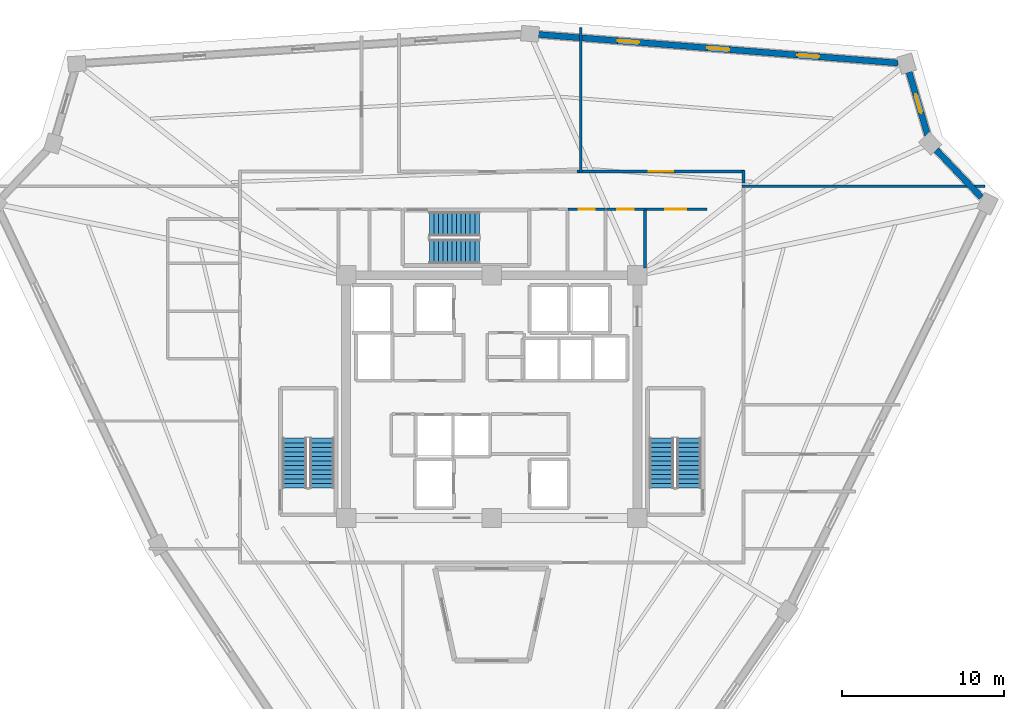
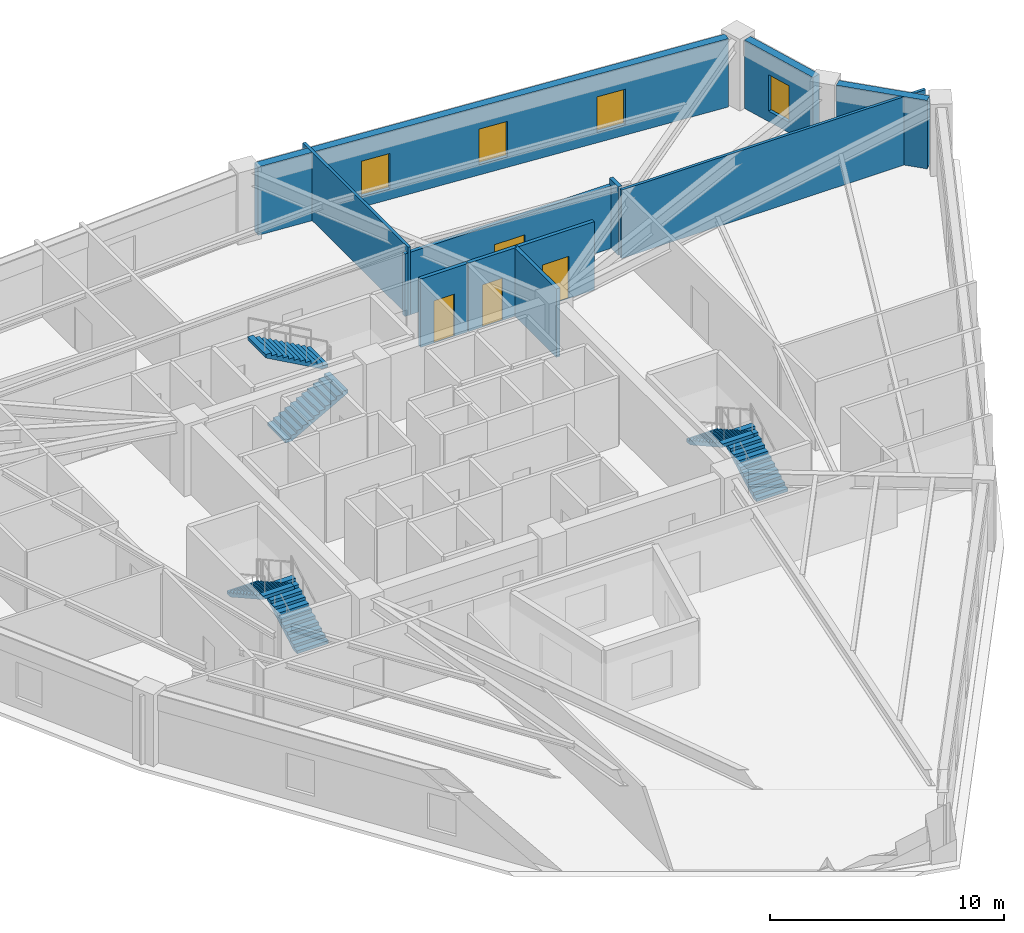
# One storey, part 7 of 10: 11 walls, 6 stair flights, 4 doors, 4 windows, 8 openings, 3 elements without a shape of their own.
"""IFC4 building model written with IfcOpenShell, lengths in metres."""

from ifc_helpers import new_model, si_unit, direction, frame, frame_2d, origin, place, context, subcontext, project, spatial, polyline, rectangle, outline, extrude, source, transform, mapped, material, layer, layer_set, type_object, element, fill, aggregate, save


model = new_model("IFC4")

# Units and contexts
model_context = context("Model", 3, precision=1e-05, world=origin(), true_north=direction((0.0, 1.0)))
body_context = subcontext(model_context, "Body", "Model", "MODEL_VIEW")
ifc_project = project(units=[si_unit("LENGTHUNIT", "METRE"), si_unit("AREAUNIT", "SQUARE_METRE"), si_unit("VOLUMEUNIT", "CUBIC_METRE"), si_unit("PLANEANGLEUNIT", "RADIAN"), si_unit("MASSUNIT", "GRAM", prefix="KILO")], contexts=[model_context])

# Site, building, storey
site_placement = place(None, origin())
site = spatial("IfcSite", under=ifc_project, at=site_placement, CompositionType="ELEMENT")
building_placement = place(site_placement, origin())
building = spatial("IfcBuilding", under=site, at=building_placement, Name="Liaohun Quay Tower", CompositionType="ELEMENT")
storey_placement = place(building_placement, frame((0.0, 0.0, 286.5)))
storey = spatial("IfcBuildingStorey", under=building, at=storey_placement, Name="L74", CompositionType="ELEMENT", Elevation=286.5)

# Wall
ifc_material_1 = material(Name="Precast concrete C50 insulated sandwich", Category="concrete")
ifc_layer_1 = layer(ifc_material_1, 0.3798828125, Name="Precast concrete C50 insulated sandwich", Category="concrete")
ifc_layer_set_1 = layer_set([ifc_layer_1], Name="Precast concrete C50 insulated sandwich")
wall_type_1 = type_object("IfcWallType", Name="WAL-EXT-Z34", PredefinedType="SOLIDWALL", material=ifc_layer_set_1)
wall_1_placement = place(storey_placement, frame((90.264892578125, 66.31396484375, 0.0), z_axis=(0.0, 0.0, 1.0), x_axis=(-0.689378640733, 0.724401193885, 0.0)))
element("IfcWall", 1, at=wall_1_placement, inside=storey, type_object=wall_type_1, Name="L74 Brutalist Precast Pier Wall 04", PredefinedType="SOLIDWALL", context=body_context, shape_type="SweptSolid", body=[
    extrude(rectangle(XDim=4.05712890625, YDim=0.3798828125, at=frame_2d((2.028564453125, 0.0))), origin(), (0.0, 0.0, 1.0), 3.570068359375),
])

# Wall, opening, window
wall_2_placement = place(storey_placement, frame((86.943115234375, 70.162109375, 0.0), z_axis=(0.0, 0.0, 1.0), x_axis=(-0.282780999882, 0.959184500555, 0.0)))
wall_2 = element("IfcWall", 2, at=wall_2_placement, inside=storey, type_object=wall_type_1, Name="L74 Brutalist Precast Pier Wall 05", PredefinedType="SOLIDWALL", context=body_context, shape_type="SweptSolid", body=[
    extrude(rectangle(XDim=4.063720703125, YDim=0.3798828125, at=frame_2d((2.03173828125, 0.0))), origin(), (0.0, 0.0, 1.0), 3.570068359375),
])
shared_shape_1 = source(origin(), body_context, "Body", "SweptSolid", [
    extrude(rectangle(XDim=1.199951171875, YDim=1.89990234375, at=frame_2d((0.60009765625, 0.949951171875))), frame((0.0, 0.199951171875, 0.0), z_axis=(0.0, -1.0, 0.0), x_axis=(1.0, 0.0, 0.0)), (0.0, 0.0, 1.0), 0.39990234375),
])
opening_1_placement = place(wall_2_placement, frame((1.431884765625, 0.0, 0.550048828125)))
opening_1 = element("IfcOpeningElement", 3, at=opening_1_placement, cuts=wall_2, Name="Opening W05", PredefinedType="OPENING", context=body_context, shape_type="MappedRepresentation", body=[
    mapped(shared_shape_1, transform((0.0, 0.0, 0.0), x_axis=(1.0, 0.0, 0.0), y_axis=(0.0, 1.0, 0.0), z_axis=(0.0, 0.0, 1.0), scale=1.0)),
])
ifc_material_2 = material(Name="Triple Low-E corner notch glazing", Category="glass")
window_type_1 = type_object("IfcWindowType", Name="WIN-NOTCH", PartitioningType="SINGLE_PANEL", PredefinedType="WINDOW", material=ifc_material_2)
shared_shape_2 = source(origin(), body_context, "Body", "SweptSolid", [
    extrude(rectangle(XDim=1.199951171875, YDim=1.89990234375, at=frame_2d((0.60009765625, 0.949951171875))), frame((0.0, 0.030029296875, 0.0), z_axis=(0.0, -1.0, 0.0), x_axis=(1.0, 0.0, 0.0)), (0.0, 0.0, 1.0), 0.06005859375),
])
window_1_placement = place(opening_1_placement, origin())
window_1 = element("IfcWindow", 4, at=window_1_placement, inside=storey, type_object=window_type_1, Name="L74 Corner Notch Window W05-05", OverallHeight=1.89990234375, OverallWidth=1.199951171875, PartitioningType="SINGLE_PANEL", PredefinedType="WINDOW", context=body_context, shape_type="MappedRepresentation", body=[
    mapped(shared_shape_2, transform((0.0, 0.0, 0.0), x_axis=(1.0, 0.0, 0.0), y_axis=(0.0, 1.0, 0.0), z_axis=(0.0, 0.0, 1.0), scale=1.0)),
])
fill(opening_1, window_1)

# Wall, openings, windows
wall_3_placement = place(storey_placement, frame((85.10302734375, 74.62109375, 0.0), z_axis=(0.0, 0.0, 1.0), x_axis=(-0.996863155658, 0.079144481122, 0.0)))
wall_3 = element("IfcWall", 5, at=wall_3_placement, inside=storey, type_object=wall_type_1, Name="L74 Brutalist Precast Pier Wall 06", PredefinedType="SOLIDWALL", context=body_context, shape_type="SweptSolid", body=[
    extrude(rectangle(XDim=22.27490234375, YDim=0.3798828125, at=frame_2d((11.137451171875, 0.0))), origin(), (0.0, 0.0, 1.0), 3.570068359375),
])
shared_shape_3 = source(origin(), body_context, "Body", "SweptSolid", [
    extrude(rectangle(XDim=1.35009765625, YDim=1.85009765625, at=frame_2d((0.675048828125, 0.925048828125))), frame((0.0, 0.199951171875, 0.0), z_axis=(0.0, -1.0, 0.0), x_axis=(1.0, 0.0, 0.0)), (0.0, 0.0, 1.0), 0.39990234375),
])
opening_2_placement = place(wall_3_placement, frame((4.89404296875, 0.0, 0.550048828125)))
opening_2 = element("IfcOpeningElement", 6, at=opening_2_placement, cuts=wall_3, Name="Opening W04", PredefinedType="OPENING", context=body_context, shape_type="MappedRepresentation", body=[
    mapped(shared_shape_3, transform((0.0, 0.0, 0.0), x_axis=(1.0, 0.0, 0.0), y_axis=(0.0, 1.0, 0.0), z_axis=(0.0, 0.0, 1.0), scale=1.0)),
])
opening_3_placement = place(wall_3_placement, frame((10.4619140625, 0.0, 0.550048828125)))
opening_3 = element("IfcOpeningElement", 7, at=opening_3_placement, cuts=wall_3, Name="Opening W04", PredefinedType="OPENING", context=body_context, shape_type="MappedRepresentation", body=[
    mapped(shared_shape_3, transform((0.0, 0.0, 0.0), x_axis=(1.0, 0.0, 0.0), y_axis=(0.0, 1.0, 0.0), z_axis=(0.0, 0.0, 1.0), scale=1.0)),
])
opening_4_placement = place(wall_3_placement, frame((16.031005859375, 0.0, 0.550048828125)))
opening_4 = element("IfcOpeningElement", 8, at=opening_4_placement, cuts=wall_3, Name="Opening W04", PredefinedType="OPENING", context=body_context, shape_type="MappedRepresentation", body=[
    mapped(shared_shape_3, transform((0.0, 0.0, 0.0), x_axis=(1.0, 0.0, 0.0), y_axis=(0.0, 1.0, 0.0), z_axis=(0.0, 0.0, 1.0), scale=1.0)),
])
ifc_material_3 = material(Name="Triple Low-E argon glazing in thermally broken aluminium", Category="aluminium")
window_type_2 = type_object("IfcWindowType", Name="WIN-PUN-Z4", PartitioningType="SINGLE_PANEL", PredefinedType="WINDOW", material=ifc_material_3)
shared_shape_4 = source(origin(), body_context, "Body", "SweptSolid", [
    extrude(rectangle(XDim=1.35009765625, YDim=1.85009765625, at=frame_2d((0.675048828125, 0.925048828125))), frame((0.0, 0.030029296875, 0.0), z_axis=(0.0, -1.0, 0.0), x_axis=(1.0, 0.0, 0.0)), (0.0, 0.0, 1.0), 0.06005859375),
])
window_2_placement = place(opening_2_placement, origin())
window_2 = element("IfcWindow", 9, at=window_2_placement, inside=storey, type_object=window_type_2, Name="L74 Recessed Cold-Climate Punched Window 06-1", OverallHeight=1.85009765625, OverallWidth=1.35009765625, PartitioningType="SINGLE_PANEL", PredefinedType="WINDOW", context=body_context, shape_type="MappedRepresentation", body=[
    mapped(shared_shape_4, transform((0.0, 0.0, 0.0), x_axis=(1.0, 0.0, 0.0), y_axis=(0.0, 1.0, 0.0), z_axis=(0.0, 0.0, 1.0), scale=1.0)),
])
fill(opening_2, window_2)
window_3_placement = place(opening_3_placement, origin())
window_3 = element("IfcWindow", 10, at=window_3_placement, inside=storey, type_object=window_type_2, Name="L74 Recessed Cold-Climate Punched Window 06-2", OverallHeight=1.85009765625, OverallWidth=1.35009765625, PartitioningType="SINGLE_PANEL", PredefinedType="WINDOW", context=body_context, shape_type="MappedRepresentation", body=[
    mapped(shared_shape_4, transform((0.0, 0.0, 0.0), x_axis=(1.0, 0.0, 0.0), y_axis=(0.0, 1.0, 0.0), z_axis=(0.0, 0.0, 1.0), scale=1.0)),
])
fill(opening_3, window_3)
window_4_placement = place(opening_4_placement, origin())
window_4 = element("IfcWindow", 11, at=window_4_placement, inside=storey, type_object=window_type_2, Name="L74 Recessed Cold-Climate Punched Window 06-3", OverallHeight=1.85009765625, OverallWidth=1.35009765625, PartitioningType="SINGLE_PANEL", PredefinedType="WINDOW", context=body_context, shape_type="MappedRepresentation", body=[
    mapped(shared_shape_4, transform((0.0, 0.0, 0.0), x_axis=(1.0, 0.0, 0.0), y_axis=(0.0, 1.0, 0.0), z_axis=(0.0, 0.0, 1.0), scale=1.0)),
])
fill(opening_4, window_4)

# Wall, opening, door
ifc_material_4 = material(Name="Autoclaved aerated concrete blockwork", Category="masonry")
ifc_layer_2 = layer(ifc_material_4, 0.179931640625, Name="Autoclaved aerated concrete blockwork", Category="masonry")
ifc_layer_set_2 = layer_set([ifc_layer_2], Name="Autoclaved aerated concrete blockwork")
wall_type_2 = type_object("IfcWallType", Name="WAL-PRT-COR", PredefinedType="PARTITIONING", material=ifc_layer_set_2)
wall_4_placement = place(storey_placement, frame((64.719970703125, 65.580078125, 0.0), z_axis=(0.0, 0.0, 1.0), x_axis=(1.0, 0.0, 0.0)))
wall_4 = element("IfcWall", 12, at=wall_4_placement, inside=storey, type_object=wall_type_2, Name="L74 Interior Partition Wall 012", PredefinedType="PARTITIONING", context=body_context, shape_type="SweptSolid", body=[
    extrude(rectangle(XDim=2.320068359375, YDim=0.179931640625, at=frame_2d((1.16015625, 0.0))), origin(), (0.0, 0.0, 1.0), 3.570068359375),
])
shared_shape_5 = source(origin(), body_context, "Body", "SweptSolid", [
    extrude(rectangle(XDim=1.0, YDim=2.199951171875, at=frame_2d((0.5, 1.10009765625))), frame((0.0, 0.099853515625, 0.0), z_axis=(0.0, -1.0, 0.0), x_axis=(1.0, 0.0, 0.0)), (0.0, 0.0, 1.0), 0.199951171875),
])
opening_5_placement = place(wall_4_placement, frame((0.659912109375, 0.0, 0.0)))
opening_5 = element("IfcOpeningElement", 13, at=opening_5_placement, cuts=wall_4, Name="Opening OD1", PredefinedType="OPENING", context=body_context, shape_type="MappedRepresentation", body=[
    mapped(shared_shape_5, transform((0.0, 0.0, 0.0), x_axis=(1.0, 0.0, 0.0), y_axis=(0.0, 1.0, 0.0), z_axis=(0.0, 0.0, 1.0), scale=1.0)),
])
ifc_material_5 = material(Name="Solid-core oak veneer timber leaf in steel frame", Category="steel")
door_type_1 = type_object("IfcDoorType", Name="DOR-OFF-1000", OperationType="NOTDEFINED", PredefinedType="DOOR", material=ifc_material_5)
shared_shape_6 = source(origin(), body_context, "Body", "SweptSolid", [
    extrude(rectangle(XDim=1.0, YDim=2.199951171875, at=frame_2d((0.5, 1.10009765625))), frame((0.0, 0.02490234375, 0.0), z_axis=(0.0, -1.0, 0.0), x_axis=(1.0, 0.0, 0.0)), (0.0, 0.0, 1.0), 0.050048828125),
])
door_1_placement = place(opening_5_placement, origin())
door_1 = element("IfcDoor", 14, at=door_1_placement, inside=storey, type_object=door_type_1, Name="L74 North-East Comms Room Door", OperationType="SINGLE_SWING_LEFT", OverallHeight=2.199951171875, OverallWidth=1.0, PredefinedType="DOOR", context=body_context, shape_type="MappedRepresentation", body=[
    mapped(shared_shape_6, transform((0.0, 0.0, 0.0), x_axis=(1.0, 0.0, 0.0), y_axis=(0.0, 1.0, 0.0), z_axis=(0.0, 0.0, 1.0), scale=1.0)),
])
fill(opening_5, door_1)

wall_5_placement = place(storey_placement, frame((67.080078125, 65.580078125, 0.0), z_axis=(0.0, 0.0, 1.0), x_axis=(1.0, 0.0, 0.0)))
wall_5 = element("IfcWall", 15, at=wall_5_placement, inside=storey, type_object=wall_type_2, Name="L74 Interior Partition Wall 013", PredefinedType="PARTITIONING", context=body_context, shape_type="SweptSolid", body=[
    extrude(rectangle(XDim=2.3798828125, YDim=0.179931640625, at=frame_2d((1.18994140625, 0.0))), origin(), (0.0, 0.0, 1.0), 3.570068359375),
])
opening_6_placement = place(wall_5_placement, frame((0.68994140625, 0.0, 0.0)))
opening_6 = element("IfcOpeningElement", 16, at=opening_6_placement, cuts=wall_5, Name="Opening OD1", PredefinedType="OPENING", context=body_context, shape_type="MappedRepresentation", body=[
    mapped(shared_shape_5, transform((0.0, 0.0, 0.0), x_axis=(1.0, 0.0, 0.0), y_axis=(0.0, 1.0, 0.0), z_axis=(0.0, 0.0, 1.0), scale=1.0)),
])
door_2_placement = place(opening_6_placement, origin())
door_2 = element("IfcDoor", 17, at=door_2_placement, inside=storey, type_object=door_type_1, Name="L74 North-East Cleaner Store Door", OperationType="SINGLE_SWING_RIGHT", OverallHeight=2.199951171875, OverallWidth=1.0, PredefinedType="DOOR", context=body_context, shape_type="MappedRepresentation", body=[
    mapped(shared_shape_6, transform((0.0, 0.0, 0.0), x_axis=(1.0, 0.0, 0.0), y_axis=(0.0, 1.0, 0.0), z_axis=(0.0, 0.0, 1.0), scale=1.0)),
])
fill(opening_6, door_2)

wall_6_placement = place(storey_placement, frame((69.4599609375, 65.580078125, 0.0), z_axis=(0.0, 0.0, 1.0), x_axis=(1.0, 0.0, 0.0)))
wall_6 = element("IfcWall", 18, at=wall_6_placement, inside=storey, type_object=wall_type_2, Name="L74 Interior Partition Wall 015", PredefinedType="PARTITIONING", context=body_context, shape_type="SweptSolid", body=[
    extrude(rectangle(XDim=3.840087890625, YDim=0.179931640625, at=frame_2d((1.919921875, 0.0))), origin(), (0.0, 0.0, 1.0), 3.570068359375),
])
shared_shape_7 = source(origin(), body_context, "Body", "SweptSolid", [
    extrude(rectangle(XDim=1.300048828125, YDim=2.199951171875, at=frame_2d((0.64990234375, 1.10009765625))), frame((0.0, 0.099853515625, 0.0), z_axis=(0.0, -1.0, 0.0), x_axis=(1.0, 0.0, 0.0)), (0.0, 0.0, 1.0), 0.199951171875),
])
opening_7_placement = place(wall_6_placement, frame((1.27001953125, 0.0, 0.0)))
opening_7 = element("IfcOpeningElement", 19, at=opening_7_placement, cuts=wall_6, Name="Opening FD1", PredefinedType="OPENING", context=body_context, shape_type="MappedRepresentation", body=[
    mapped(shared_shape_7, transform((0.0, 0.0, 0.0), x_axis=(1.0, 0.0, 0.0), y_axis=(0.0, 1.0, 0.0), z_axis=(0.0, 0.0, 1.0), scale=1.0)),
])
ifc_material_6 = material(Name="Galvanised steel smokeproof fire door", Category="steel")
door_type_2 = type_object("IfcDoorType", Name="DOR-FFL-1300", OperationType="NOTDEFINED", PredefinedType="DOOR", material=ifc_material_6)
shared_shape_8 = source(origin(), body_context, "Body", "SweptSolid", [
    extrude(rectangle(XDim=1.300048828125, YDim=2.199951171875, at=frame_2d((0.64990234375, 1.10009765625))), frame((0.0, 0.02490234375, 0.0), z_axis=(0.0, -1.0, 0.0), x_axis=(1.0, 0.0, 0.0)), (0.0, 0.0, 1.0), 0.050048828125),
])
door_3_placement = place(opening_7_placement, origin())
door_3 = element("IfcDoor", 20, at=door_3_placement, inside=storey, type_object=door_type_2, Name="L74 East Core Vestibule Door", OperationType="SINGLE_SWING_RIGHT", OverallHeight=2.199951171875, OverallWidth=1.300048828125, PredefinedType="DOOR", context=body_context, shape_type="MappedRepresentation", body=[
    mapped(shared_shape_8, transform((0.0, 0.0, 0.0), x_axis=(1.0, 0.0, 0.0), y_axis=(0.0, 1.0, 0.0), z_axis=(0.0, 0.0, 1.0), scale=1.0)),
])
fill(opening_7, door_3)

wall_7_placement = place(storey_placement, frame((65.284912109375, 67.909912109375, 0.0), z_axis=(0.0, 0.0, 1.0), x_axis=(1.0, 0.0, 0.0)))
wall_7 = element("IfcWall", 21, at=wall_7_placement, inside=storey, type_object=wall_type_2, Name="L74 Interior Partition Wall 017", PredefinedType="PARTITIONING", context=body_context, shape_type="SweptSolid", body=[
    extrude(rectangle(XDim=10.344970703125, YDim=0.179931640625, at=frame_2d((5.17236328125, 0.0))), origin(), (0.0, 0.0, 1.0), 3.260986328125),
])
shared_shape_9 = source(origin(), body_context, "Body", "SweptSolid", [
    extrude(rectangle(XDim=1.5, YDim=2.199951171875, at=frame_2d((0.75, 1.10009765625))), frame((0.0, 0.099853515625, 0.0), z_axis=(0.0, -1.0, 0.0), x_axis=(1.0, 0.0, 0.0)), (0.0, 0.0, 1.0), 0.199951171875),
])
opening_8_placement = place(wall_7_placement, frame((4.422119140625, 0.0, 0.0)))
opening_8 = element("IfcOpeningElement", 22, at=opening_8_placement, cuts=wall_7, Name="Opening OD2", PredefinedType="OPENING", context=body_context, shape_type="MappedRepresentation", body=[
    mapped(shared_shape_9, transform((0.0, 0.0, 0.0), x_axis=(1.0, 0.0, 0.0), y_axis=(0.0, 1.0, 0.0), z_axis=(0.0, 0.0, 1.0), scale=1.0)),
])
ifc_material_7 = material(Name="Acoustic oak veneer double door")
door_type_3 = type_object("IfcDoorType", Name="DOR-OFF-1500", OperationType="DOUBLE_DOOR_SINGLE_SWING", PredefinedType="DOOR", material=ifc_material_7)
shared_shape_10 = source(origin(), body_context, "Body", "SweptSolid", [
    extrude(rectangle(XDim=1.5, YDim=2.199951171875, at=frame_2d((0.75, 1.10009765625))), frame((0.0, 0.02490234375, 0.0), z_axis=(0.0, -1.0, 0.0), x_axis=(1.0, 0.0, 0.0)), (0.0, 0.0, 1.0), 0.050048828125),
])
door_4_placement = place(opening_8_placement, origin())
door_4 = element("IfcDoor", 23, at=door_4_placement, inside=storey, type_object=door_type_3, Name="L74 Occupational Wellness Clinic 02 Door", OperationType="DOUBLE_DOOR_SINGLE_SWING", OverallHeight=2.199951171875, OverallWidth=1.5, PredefinedType="DOOR", context=body_context, shape_type="MappedRepresentation", body=[
    mapped(shared_shape_10, transform((0.0, 0.0, 0.0), x_axis=(1.0, 0.0, 0.0), y_axis=(0.0, 1.0, 0.0), z_axis=(0.0, 0.0, 1.0), scale=1.0)),
])
fill(opening_8, door_4)

# Walls
wall_8_placement = place(storey_placement, frame((69.4599609375, 61.949951171875, 0.0), z_axis=(0.0, 0.0, 1.0), x_axis=(0.0, 1.0, 0.0)))
element("IfcWall", 24, at=wall_8_placement, inside=storey, type_object=wall_type_2, Name="L74 Interior Partition Wall 040", PredefinedType="PARTITIONING", context=body_context, shape_type="SweptSolid", body=[
    extrude(rectangle(XDim=3.630126953125, YDim=0.179931640625, at=frame_2d((1.81494140625, 0.0))), origin(), (0.0, 0.0, 1.0), 3.570068359375),
])
wall_9_placement = place(storey_placement, frame((75.56005859375, 67.97998046875, 0.0), z_axis=(0.0, 0.0, 1.0), x_axis=(0.0, -1.0, 0.0)))
element("IfcWall", 25, at=wall_9_placement, inside=storey, type_object=wall_type_2, Name="L74 Interior Partition Wall 041", PredefinedType="PARTITIONING", context=body_context, shape_type="SweptSolid", body=[
    extrude(rectangle(XDim=0.764892578125, YDim=0.179931640625, at=frame_2d((0.38232421875, 0.0))), origin(), (0.0, 0.0, 1.0), 3.570068359375),
])
ifc_material_8 = material(Name="Gypsum board on twin steel studs", Category="steel")
ifc_layer_3 = layer(ifc_material_8, 0.139892578125, Name="Gypsum board on twin steel studs", Category="steel")
ifc_layer_set_3 = layer_set([ifc_layer_3], Name="Gypsum board on twin steel studs")
wall_type_3 = type_object("IfcWallType", Name="WAL-PRT-OFF", PredefinedType="PARTITIONING", material=ifc_layer_set_3)
wall_10_placement = place(storey_placement, frame((75.4599609375, 67.0, 0.0), z_axis=(0.0, 0.0, 1.0), x_axis=(1.0, 0.0, 0.0)))
element("IfcWall", 26, at=wall_10_placement, inside=storey, type_object=wall_type_3, Name="L74 Interior Partition Wall 055", PredefinedType="PARTITIONING", context=body_context, shape_type="SweptSolid", body=[
    extrude(rectangle(XDim=15.02099609375, YDim=0.139892578125, at=frame_2d((7.510498046875, 0.0))), origin(), (0.0, 0.0, 1.0), 3.570068359375),
])
wall_11_placement = place(storey_placement, frame((65.5, 67.81005859375, 0.0), z_axis=(0.0, 0.0, 1.0), x_axis=(0.0, 1.0, 0.0)))
element("IfcWall", 27, at=wall_11_placement, inside=storey, type_object=wall_type_3, Name="L74 Interior Partition Wall 056", PredefinedType="PARTITIONING", context=body_context, shape_type="SweptSolid", body=[
    extrude(rectangle(XDim=8.9990234375, YDim=0.139892578125, at=frame_2d((4.49951171875, 0.0))), origin(), (0.0, 0.0, 1.0), 3.570068359375),
])

# Stair, stair flights
ifc_material_9 = material(Name="Concrete C45", Category="concrete")
stair_type = type_object("IfcStairType", Name="STR-CORE-OFF", PredefinedType="HALF_TURN_STAIR", material=ifc_material_9)
stair_1_placement = place(storey_placement, origin())
stair_1 = element("IfcStair", 28, at=stair_1_placement, inside=storey, type_object=stair_type, Name="L74 Smokeproof Core Exit Stair ST-1", PredefinedType="HALF_TURN_STAIR")
stair_flight_type = type_object("IfcStairFlightType", Name="FLT-CORE-155", PredefinedType="STRAIGHT", material=ifc_material_9)
stair_flight_1_placement = place(storey_placement, frame((49.5048828125, 48.35009765625, 0.0), z_axis=(0.0, 0.0, 1.0), x_axis=(0.0, 1.0, 0.0)))
stair_flight_1 = element("IfcStairFlight", 29, at=stair_flight_1_placement, type_object=stair_flight_type, Name="ST-1 flight 1", NumberOfRisers=12, NumberOfTreads=11, PredefinedType="STRAIGHT", RiserHeight=0.15625, TreadLength=0.28, context=body_context, shape_type="SweptSolid", body=[
    extrude(outline(polyline([(0.0, 0.0), (0.0, 0.15625), (0.280029296875, 0.15625), (0.280029296875, 0.3125), (0.56005859375, 0.3125), (0.56005859375, 0.46875), (0.840087890625, 0.46875), (0.840087890625, 0.625), (1.1201171875, 0.625), (1.1201171875, 0.78125), (1.39990234375, 0.78125), (1.39990234375, 0.9375), (1.679931640625, 0.9375), (1.679931640625, 1.09375), (1.9599609375, 1.09375), (1.9599609375, 1.25), (2.239990234375, 1.25), (2.239990234375, 1.40625), (2.52001953125, 1.40625), (2.52001953125, 1.5625), (2.800048828125, 1.5625), (2.800048828125, 1.71875), (3.080078125, 1.71875), (3.080078125, 1.875), (3.080078125, 1.547119140625), (0.3076171875, 0.0), (0.0, 0.0)])), frame((0.0, 0.77490234375, 0.0), z_axis=(0.0, -1.0, 0.0), x_axis=(1.0, 0.0, 0.0)), (0.0, 0.0, 1.0), 1.550048828125),
])
stair_flight_2_placement = place(storey_placement, frame((47.81494140625, 51.429931640625, 1.875), z_axis=(0.0, 0.0, 1.0), x_axis=(0.0, -1.0, 0.0)))
stair_flight_2 = element("IfcStairFlight", 30, at=stair_flight_2_placement, type_object=stair_flight_type, Name="ST-1 flight 2", NumberOfRisers=12, NumberOfTreads=11, PredefinedType="STRAIGHT", RiserHeight=0.15625, TreadLength=0.28, context=body_context, shape_type="SweptSolid", body=[
    extrude(outline(polyline([(0.0, 0.0), (0.0, 0.15625), (0.280029296875, 0.15625), (0.280029296875, 0.3125), (0.56005859375, 0.3125), (0.56005859375, 0.46875), (0.840087890625, 0.46875), (0.840087890625, 0.625), (1.1201171875, 0.625), (1.1201171875, 0.78125), (1.39990234375, 0.78125), (1.39990234375, 0.9375), (1.679931640625, 0.9375), (1.679931640625, 1.09375), (1.9599609375, 1.09375), (1.9599609375, 1.25), (2.239990234375, 1.25), (2.239990234375, 1.40625), (2.52001953125, 1.40625), (2.52001953125, 1.5625), (2.800048828125, 1.5625), (2.800048828125, 1.71875), (3.080078125, 1.71875), (3.080078125, 1.875), (3.080078125, 1.547119140625), (0.3076171875, 0.0), (0.0, 0.0)])), frame((0.0, 0.77490234375, 0.0), z_axis=(0.0, -1.0, 0.0), x_axis=(1.0, 0.0, 0.0)), (0.0, 0.0, 1.0), 1.550048828125),
])
aggregate(stair_1, [stair_flight_1, stair_flight_2])

stair_2_placement = place(storey_placement, origin())
stair_2 = element("IfcStair", 31, at=stair_2_placement, inside=storey, type_object=stair_type, Name="L74 Smokeproof Core Exit Stair ST-2", PredefinedType="HALF_TURN_STAIR")
stair_flight_3_placement = place(storey_placement, frame((72.18505859375, 48.35009765625, 0.0), z_axis=(0.0, 0.0, 1.0), x_axis=(0.0, 1.0, 0.0)))
stair_flight_3 = element("IfcStairFlight", 32, at=stair_flight_3_placement, type_object=stair_flight_type, Name="ST-2 flight 1", NumberOfRisers=12, NumberOfTreads=11, PredefinedType="STRAIGHT", RiserHeight=0.15625, TreadLength=0.28, context=body_context, shape_type="SweptSolid", body=[
    extrude(outline(polyline([(0.0, 0.0), (0.0, 0.15625), (0.280029296875, 0.15625), (0.280029296875, 0.3125), (0.56005859375, 0.3125), (0.56005859375, 0.46875), (0.840087890625, 0.46875), (0.840087890625, 0.625), (1.1201171875, 0.625), (1.1201171875, 0.78125), (1.39990234375, 0.78125), (1.39990234375, 0.9375), (1.679931640625, 0.9375), (1.679931640625, 1.09375), (1.9599609375, 1.09375), (1.9599609375, 1.25), (2.239990234375, 1.25), (2.239990234375, 1.40625), (2.52001953125, 1.40625), (2.52001953125, 1.5625), (2.800048828125, 1.5625), (2.800048828125, 1.71875), (3.080078125, 1.71875), (3.080078125, 1.875), (3.080078125, 1.547119140625), (0.3076171875, 0.0), (0.0, 0.0)])), frame((0.0, 0.77490234375, 0.0), z_axis=(0.0, -1.0, 0.0), x_axis=(1.0, 0.0, 0.0)), (0.0, 0.0, 1.0), 1.550048828125),
])
stair_flight_4_placement = place(storey_placement, frame((70.4951171875, 51.429931640625, 1.875), z_axis=(0.0, 0.0, 1.0), x_axis=(0.0, -1.0, 0.0)))
stair_flight_4 = element("IfcStairFlight", 33, at=stair_flight_4_placement, type_object=stair_flight_type, Name="ST-2 flight 2", NumberOfRisers=12, NumberOfTreads=11, PredefinedType="STRAIGHT", RiserHeight=0.15625, TreadLength=0.28, context=body_context, shape_type="SweptSolid", body=[
    extrude(outline(polyline([(0.0, 0.0), (0.0, 0.15625), (0.280029296875, 0.15625), (0.280029296875, 0.3125), (0.56005859375, 0.3125), (0.56005859375, 0.46875), (0.840087890625, 0.46875), (0.840087890625, 0.625), (1.1201171875, 0.625), (1.1201171875, 0.78125), (1.39990234375, 0.78125), (1.39990234375, 0.9375), (1.679931640625, 0.9375), (1.679931640625, 1.09375), (1.9599609375, 1.09375), (1.9599609375, 1.25), (2.239990234375, 1.25), (2.239990234375, 1.40625), (2.52001953125, 1.40625), (2.52001953125, 1.5625), (2.800048828125, 1.5625), (2.800048828125, 1.71875), (3.080078125, 1.71875), (3.080078125, 1.875), (3.080078125, 1.547119140625), (0.3076171875, 0.0), (0.0, 0.0)])), frame((0.0, 0.77490234375, 0.0), z_axis=(0.0, -1.0, 0.0), x_axis=(1.0, 0.0, 0.0)), (0.0, 0.0, 1.0), 1.550048828125),
])
aggregate(stair_2, [stair_flight_3, stair_flight_4])

stair_3_placement = place(storey_placement, origin())
stair_3 = element("IfcStair", 34, at=stair_3_placement, inside=storey, type_object=stair_type, Name="L74 Smokeproof Core Exit Stair ST-3", PredefinedType="HALF_TURN_STAIR")
stair_flight_5_placement = place(storey_placement, frame((56.14990234375, 62.97509765625, 0.0), z_axis=(0.0, 0.0, 1.0), x_axis=(1.0, 0.0, 0.0)))
stair_flight_5 = element("IfcStairFlight", 35, at=stair_flight_5_placement, type_object=stair_flight_type, Name="ST-3 flight 1", NumberOfRisers=12, NumberOfTreads=11, PredefinedType="STRAIGHT", RiserHeight=0.15625, TreadLength=0.28, context=body_context, shape_type="SweptSolid", body=[
    extrude(outline(polyline([(0.0, 0.0), (0.0, 0.15625), (0.280029296875, 0.15625), (0.280029296875, 0.3125), (0.56005859375, 0.3125), (0.56005859375, 0.46875), (0.840087890625, 0.46875), (0.840087890625, 0.625), (1.1201171875, 0.625), (1.1201171875, 0.78125), (1.39990234375, 0.78125), (1.39990234375, 0.9375), (1.679931640625, 0.9375), (1.679931640625, 1.09375), (1.9599609375, 1.09375), (1.9599609375, 1.25), (2.239990234375, 1.25), (2.239990234375, 1.40625), (2.52001953125, 1.40625), (2.52001953125, 1.5625), (2.800048828125, 1.5625), (2.800048828125, 1.71875), (3.080078125, 1.71875), (3.080078125, 1.875), (3.080078125, 1.547119140625), (0.3076171875, 0.0), (0.0, 0.0)])), frame((0.0, 0.77490234375, 0.0), z_axis=(0.0, -1.0, 0.0), x_axis=(1.0, 0.0, 0.0)), (0.0, 0.0, 1.0), 1.550048828125),
])
stair_flight_6_placement = place(storey_placement, frame((59.22998046875, 64.6650390625, 1.875), z_axis=(0.0, 0.0, 1.0), x_axis=(-1.0, 0.0, 0.0)))
stair_flight_6 = element("IfcStairFlight", 36, at=stair_flight_6_placement, type_object=stair_flight_type, Name="ST-3 flight 2", NumberOfRisers=12, NumberOfTreads=11, PredefinedType="STRAIGHT", RiserHeight=0.15625, TreadLength=0.28, context=body_context, shape_type="SweptSolid", body=[
    extrude(outline(polyline([(0.0, 0.0), (0.0, 0.15625), (0.280029296875, 0.15625), (0.280029296875, 0.3125), (0.56005859375, 0.3125), (0.56005859375, 0.46875), (0.840087890625, 0.46875), (0.840087890625, 0.625), (1.1201171875, 0.625), (1.1201171875, 0.78125), (1.39990234375, 0.78125), (1.39990234375, 0.9375), (1.679931640625, 0.9375), (1.679931640625, 1.09375), (1.9599609375, 1.09375), (1.9599609375, 1.25), (2.239990234375, 1.25), (2.239990234375, 1.40625), (2.52001953125, 1.40625), (2.52001953125, 1.5625), (2.800048828125, 1.5625), (2.800048828125, 1.71875), (3.080078125, 1.71875), (3.080078125, 1.875), (3.080078125, 1.547119140625), (0.3076171875, 0.0), (0.0, 0.0)])), frame((0.0, 0.77490234375, 0.0), z_axis=(0.0, -1.0, 0.0), x_axis=(1.0, 0.0, 0.0)), (0.0, 0.0, 1.0), 1.550048828125),
])
aggregate(stair_3, [stair_flight_5, stair_flight_6])

save(model, "model.ifc")
